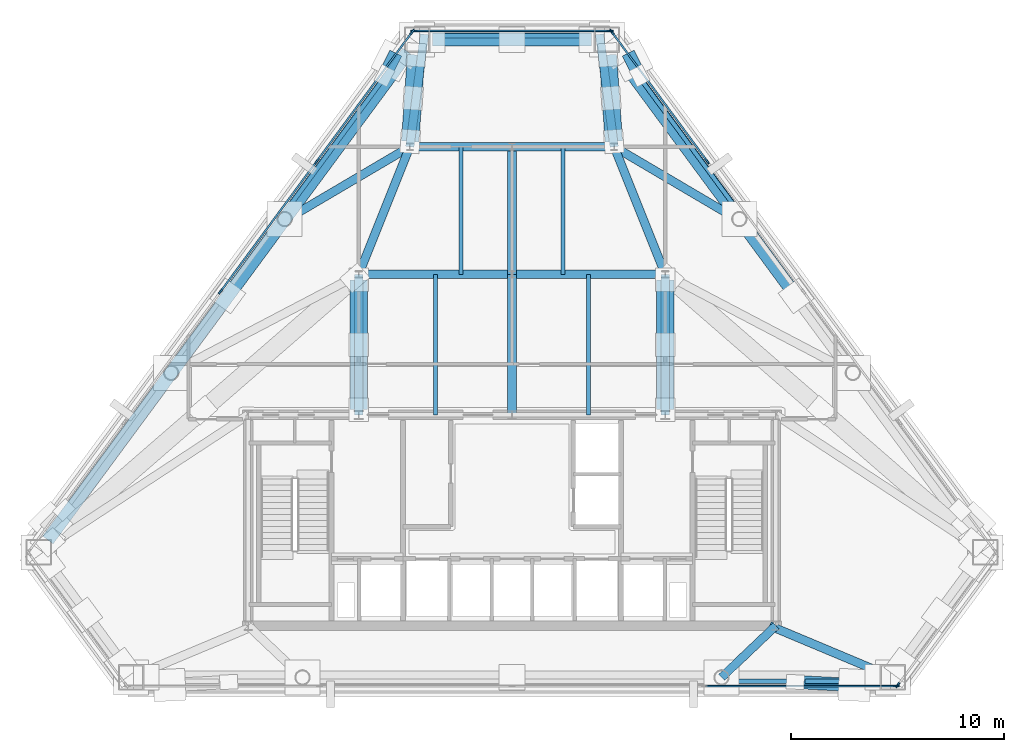
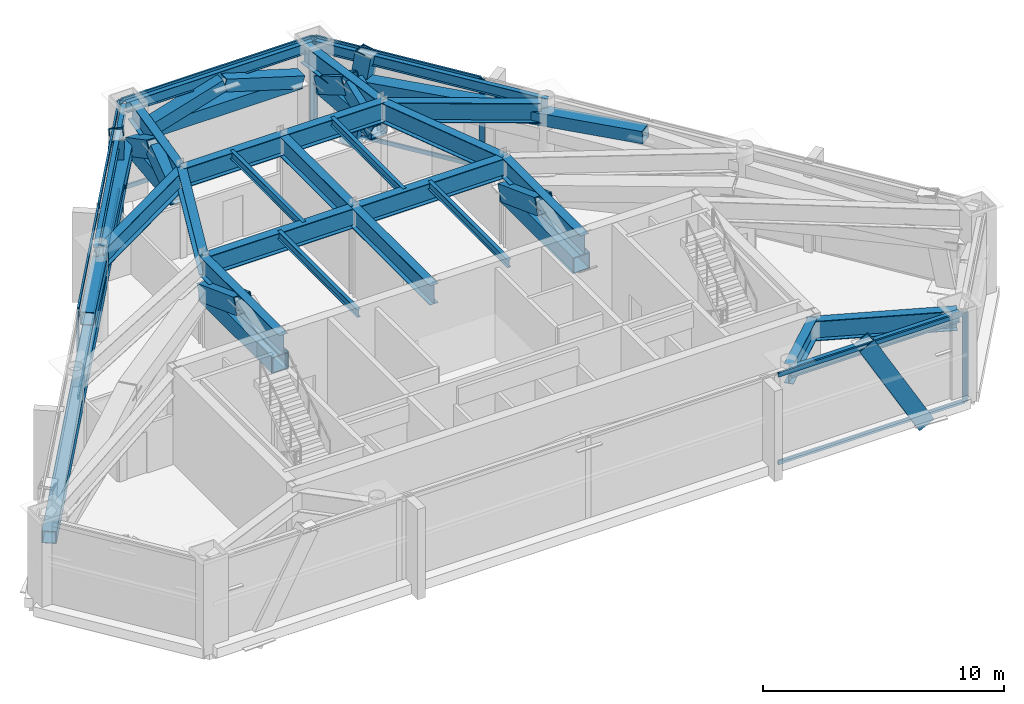
# One storey, part 3 of 10: 38 members, 24 beams, 5 elements without a shape of their own.
"""IFC4 building model written with IfcOpenShell, lengths in metres."""

from ifc_helpers import new_model, si_unit, direction, frame, origin, origin_2d, place, context, subcontext, project, spatial, rectangle, hollow_rectangle, i_section, extrude, material, layer, layer_set, material_profile, profile_set, type_object, element, aggregate, save


model = new_model("IFC4")

# Units and contexts
model_context = context("Model", 3, precision=1e-05, world=origin(), true_north=direction((0.0, 1.0)))
body_context = subcontext(model_context, "Body", "Model", "MODEL_VIEW")
ifc_project = project(units=[si_unit("LENGTHUNIT", "METRE"), si_unit("AREAUNIT", "SQUARE_METRE"), si_unit("VOLUMEUNIT", "CUBIC_METRE"), si_unit("PLANEANGLEUNIT", "RADIAN"), si_unit("MASSUNIT", "GRAM", prefix="KILO")], contexts=[model_context])

# Site, building, storey
site_placement = place(None, origin())
site = spatial("IfcSite", under=ifc_project, at=site_placement, CompositionType="ELEMENT")
building_placement = place(site_placement, origin())
building = spatial("IfcBuilding", under=site, at=building_placement, Name="Talgorran Terracotta Tower", CompositionType="ELEMENT")
storey_placement = place(building_placement, frame((0.0, 0.0, 168.89990234375)))
storey = spatial("IfcBuildingStorey", under=building, at=storey_placement, Name="L44", CompositionType="ELEMENT", Elevation=168.89990234375)

# Beams
ifc_material_1 = material(Name="Steel Grade 350 (350L0)", Category="steel")
ifc_material_profile_1 = material_profile(ifc_material_1, i_section(OverallWidth=0.39990234375, OverallDepth=1.0, WebThickness=0.01611328125, FlangeThickness=0.031005859375, at=origin_2d()), Name="1000WB296")
ifc_profile_set_1 = profile_set([ifc_material_profile_1], Name="Steel Grade 350 (350L0)")
beam_type_1 = type_object("IfcBeamType", Name="BM_1000WB296", PredefinedType="BEAM", material=ifc_profile_set_1)
beam_1_placement = place(storey_placement, frame((12.39990234375, -14.10009765625, 4.02001953125), z_axis=(-0.724741849636, -0.689020501426, 0.0), x_axis=(0.689020501426, -0.724741849636, 0.0)))
element("IfcBeam", 1, at=beam_1_placement, inside=storey, type_object=beam_type_1, Name="L44 South-East Core Tie Beam", PredefinedType="BEAM", context=body_context, shape_type="SweptSolid", body=[
    extrude(i_section(OverallWidth=0.39990234375, OverallDepth=1.0, WebThickness=0.01611328125, FlangeThickness=0.031005859375, at=origin_2d()), origin(), (0.0, 0.0, 1.0), 3.526611328125),
])
beam_2_placement = place(storey_placement, frame((17.898193359375, -16.530029296875, 4.02001953125), z_axis=(-0.922281031819, 0.386519984408, 0.0), x_axis=(-0.386519984408, -0.922281031819, 0.0)))
element("IfcBeam", 2, at=beam_2_placement, inside=storey, type_object=beam_type_1, Name="L44 Perimeter Step Girder 5", PredefinedType="BEAM", context=body_context, shape_type="SweptSolid", body=[
    extrude(i_section(OverallWidth=0.39990234375, OverallDepth=1.0, WebThickness=0.01611328125, FlangeThickness=0.031005859375, at=origin_2d()), origin(), (0.0, 0.0, 1.0), 6.28662109375),
])
for number, where, z_axis, x_axis, name in (
    (3, (4.114013671875, 13.68359375, 4.02001953125), (0.128759320013, -0.991675873211, 0.0), (0.991675873211, 0.128759320013, 0.0), "L44 Perimeter Step Girder 9B"),
    (4, (-4.114013671875, 13.68359375, 4.02001953125), (-0.128759320013, -0.991675873211, 0.0), (0.991675873211, -0.128759320013, 0.0), "L44 Perimeter Step Girder 10B"),
):
    element("IfcBeam", number, at=place(storey_placement, frame(where, z_axis=z_axis, x_axis=x_axis)), inside=storey, type_object=beam_type_1, Name=name, PredefinedType="BEAM", context=body_context, shape_type="SweptSolid", body=[
        extrude(i_section(OverallWidth=0.39990234375, OverallDepth=1.0, WebThickness=0.01611328125, FlangeThickness=0.031005859375, at=origin_2d()), origin(), (0.0, 0.0, 1.0), 5.328125),
    ])
for number, where, z_axis, x_axis, name in (
    (5, (-7.199951171875, -4.199951171875, 4.02001953125), (0.0, 1.0, 0.0), (-1.0, 0.0, 0.0), "L44 Floor Girder G01"),
    (6, (0.0, -4.199951171875, 4.02001953125), (0.0, 1.0, 0.0), (-1.0, 0.0, 0.0), "L44 Floor Girder G02"),
    (7, (7.199951171875, -4.199951171875, 4.02001953125), (0.0, 1.0, 0.0), (-1.0, 0.0, 0.0), "L44 Floor Girder G03"),
):
    element("IfcBeam", number, at=place(storey_placement, frame(where, z_axis=z_axis, x_axis=x_axis)), inside=storey, type_object=beam_type_1, Name=name, PredefinedType="BEAM", context=body_context, shape_type="SweptSolid", body=[
        extrude(i_section(OverallWidth=0.39990234375, OverallDepth=1.0, WebThickness=0.01611328125, FlangeThickness=0.031005859375, at=origin_2d()), origin(), (0.0, 0.0, 1.0), 6.599853515625),
    ])
for number, where, z_axis, x_axis, name in (
    (8, (-7.199951171875, 2.39990234375, 4.02001953125), (1.0, 0.0, 0.0), (0.0, 1.0, 0.0), "L44 Floor Girder G04"),
    (9, (0.0, 2.39990234375, 4.02001953125), (1.0, 0.0, 0.0), (0.0, 1.0, 0.0), "L44 Floor Girder G05"),
):
    element("IfcBeam", number, at=place(storey_placement, frame(where, z_axis=z_axis, x_axis=x_axis)), inside=storey, type_object=beam_type_1, Name=name, PredefinedType="BEAM", context=body_context, shape_type="SweptSolid", body=[
        extrude(i_section(OverallWidth=0.39990234375, OverallDepth=1.0, WebThickness=0.01611328125, FlangeThickness=0.031005859375, at=origin_2d()), origin(), (0.0, 0.0, 1.0), 7.199951171875),
    ])
beam_3_placement = place(storey_placement, frame((-7.199951171875, 2.39990234375, 4.02001953125), z_axis=(0.371377648723, 0.928481901832, 0.0), x_axis=(-0.928481901832, 0.371377648723, 0.0)))
element("IfcBeam", 10, at=beam_3_placement, inside=storey, type_object=beam_type_1, Name="L44 Floor Girder G08", PredefinedType="BEAM", context=body_context, shape_type="SweptSolid", body=[
    extrude(i_section(OverallWidth=0.39990234375, OverallDepth=1.0, WebThickness=0.01611328125, FlangeThickness=0.031005859375, at=origin_2d()), origin(), (0.0, 0.0, 1.0), 6.462158203125),
])
beam_4_placement = place(storey_placement, frame((0.0, 2.39990234375, 4.02001953125), z_axis=(0.0, 1.0, 0.0), x_axis=(-1.0, 0.0, 0.0)))
element("IfcBeam", 11, at=beam_4_placement, inside=storey, type_object=beam_type_1, Name="L44 Floor Girder G09", PredefinedType="BEAM", context=body_context, shape_type="SweptSolid", body=[
    extrude(i_section(OverallWidth=0.39990234375, OverallDepth=1.0, WebThickness=0.01611328125, FlangeThickness=0.031005859375, at=origin_2d()), origin(), (0.0, 0.0, 1.0), 6.0),
])
beam_5_placement = place(storey_placement, frame((7.199951171875, 2.39990234375, 4.02001953125), z_axis=(-0.371377648723, 0.928481901832, 0.0), x_axis=(-0.928481901832, -0.371377648723, 0.0)))
element("IfcBeam", 12, at=beam_5_placement, inside=storey, type_object=beam_type_1, Name="L44 Floor Girder G10", PredefinedType="BEAM", context=body_context, shape_type="SweptSolid", body=[
    extrude(i_section(OverallWidth=0.39990234375, OverallDepth=1.0, WebThickness=0.01611328125, FlangeThickness=0.031005859375, at=origin_2d()), origin(), (0.0, 0.0, 1.0), 6.462158203125),
])
for number, where, z_axis, x_axis, name in (
    (13, (-4.800048828125, 8.39990234375, 4.02001953125), (1.0, 0.0, 0.0), (0.0, 1.0, 0.0), "L44 Floor Girder G11"),
    (14, (0.0, 8.39990234375, 4.02001953125), (1.0, 0.0, 0.0), (0.0, 1.0, 0.0), "L44 Floor Girder G12"),
):
    element("IfcBeam", number, at=place(storey_placement, frame(where, z_axis=z_axis, x_axis=x_axis)), inside=storey, type_object=beam_type_1, Name=name, PredefinedType="BEAM", context=body_context, shape_type="SweptSolid", body=[
        extrude(i_section(OverallWidth=0.39990234375, OverallDepth=1.0, WebThickness=0.01611328125, FlangeThickness=0.031005859375, at=origin_2d()), origin(), (0.0, 0.0, 1.0), 4.800048828125),
    ])
for number, where, z_axis, x_axis, name in (
    (15, (-4.800048828125, 8.39990234375, 4.02001953125), (-0.861549168895, -0.507674137195, 0.0), (0.507674137195, -0.861549168895, 0.0), "L44 Floor Girder G13"),
    (16, (4.800048828125, 8.39990234375, 4.02001953125), (0.861549168895, -0.507674137195, 0.0), (0.507674137195, 0.861549168895, 0.0), "L44 Floor Girder G14"),
):
    element("IfcBeam", number, at=place(storey_placement, frame(where, z_axis=z_axis, x_axis=x_axis)), inside=storey, type_object=beam_type_1, Name=name, PredefinedType="BEAM", context=body_context, shape_type="SweptSolid", body=[
        extrude(i_section(OverallWidth=0.39990234375, OverallDepth=1.0, WebThickness=0.01611328125, FlangeThickness=0.031005859375, at=origin_2d()), origin(), (0.0, 0.0, 1.0), 6.58935546875),
    ])
ifc_material_2 = material(Name="Steel S355 (300PLUS)", Category="steel")
ifc_material_profile_2 = material_profile(ifc_material_2, i_section(OverallWidth=0.177734375, OverallDepth=0.406494140625, WebThickness=0.0078125, FlangeThickness=0.0126953125, at=origin_2d()), Name="410UB59.7")
ifc_profile_set_2 = profile_set([ifc_material_profile_2], Name="Steel S355 (300PLUS)")
beam_type_2 = type_object("IfcBeamType", Name="BM_JS_410UB60", PredefinedType="JOIST", material=ifc_profile_set_2)
for number, where, z_axis, x_axis, name in (
    (17, (-3.60009765625, -4.199951171875, 4.31689453125), (0.0, 1.0, 0.0), (-1.0, 0.0, 0.0), "L44 Secondary Joist J01"),
    (18, (3.60009765625, -4.199951171875, 4.31689453125), (0.0, 1.0, 0.0), (-1.0, 0.0, 0.0), "L44 Secondary Joist J02"),
):
    element("IfcBeam", number, at=place(storey_placement, frame(where, z_axis=z_axis, x_axis=x_axis)), inside=storey, type_object=beam_type_2, Name=name, PredefinedType="JOIST", context=body_context, shape_type="SweptSolid", body=[
        extrude(i_section(OverallWidth=0.177734375, OverallDepth=0.406494140625, WebThickness=0.0078125, FlangeThickness=0.0126953125, at=origin_2d()), origin(), (0.0, 0.0, 1.0), 6.599853515625),
    ])
for number, where, z_axis, x_axis, name in (
    (19, (-2.39990234375, 2.39990234375, 4.31689453125), (0.0, 1.0, 0.0), (-1.0, 0.0, 0.0), "L44 Secondary Joist J03"),
    (20, (2.39990234375, 2.39990234375, 4.31689453125), (0.0, 1.0, 0.0), (-1.0, 0.0, 0.0), "L44 Secondary Joist J04"),
):
    element("IfcBeam", number, at=place(storey_placement, frame(where, z_axis=z_axis, x_axis=x_axis)), inside=storey, type_object=beam_type_2, Name=name, PredefinedType="JOIST", context=body_context, shape_type="SweptSolid", body=[
        extrude(i_section(OverallWidth=0.177734375, OverallDepth=0.406494140625, WebThickness=0.0078125, FlangeThickness=0.0126953125, at=origin_2d()), origin(), (0.0, 0.0, 1.0), 6.0),
    ])
ifc_material_profile_3 = material_profile(ifc_material_2, i_section(OverallWidth=0.209228515625, OverallDepth=0.532958984375, WebThickness=0.01025390625, FlangeThickness=0.015625, at=origin_2d()), Name="530UB92.4")
ifc_profile_set_3 = profile_set([ifc_material_profile_3], Name="Steel S355 (300PLUS)")
beam_type_3 = type_object("IfcBeamType", Name="BM_SP_530UB92", PredefinedType="SPANDREL", material=ifc_profile_set_3)
beam_6_placement = place(storey_placement, frame((9.843994140625, -16.7099609375, 4.253662109375), z_axis=(1.0, 0.0, 0.0), x_axis=(0.0, 1.0, 0.0)))
element("IfcBeam", 21, at=beam_6_placement, inside=storey, type_object=beam_type_3, Name="L44 Perimeter Spandrel Beam FC2-MC3", PredefinedType="SPANDREL", context=body_context, shape_type="SweptSolid", body=[
    extrude(i_section(OverallWidth=0.209228515625, OverallDepth=0.532958984375, WebThickness=0.01025390625, FlangeThickness=0.015625, at=origin_2d()), origin(), (0.0, 0.0, 1.0), 8.05419921875),
])
beam_7_placement = place(storey_placement, frame((10.823974609375, 5.1103515625, 4.253662109375), z_axis=(-0.593801302641, 0.804611715663, 0.0), x_axis=(-0.804611715663, -0.593801302641, 0.0)))
element("IfcBeam", 22, at=beam_7_placement, inside=storey, type_object=beam_type_3, Name="L44 Perimeter Spandrel Beam FC4-MC5", PredefinedType="SPANDREL", context=body_context, shape_type="SweptSolid", body=[
    extrude(i_section(OverallWidth=0.209228515625, OverallDepth=0.532958984375, WebThickness=0.01025390625, FlangeThickness=0.015625, at=origin_2d()), origin(), (0.0, 0.0, 1.0), 10.478515625),
])
beam_8_placement = place(storey_placement, frame((4.45703125, 13.614501953125, 4.253662109375), z_axis=(-1.0, 0.0, 0.0), x_axis=(0.0, -1.0, 0.0)))
element("IfcBeam", 23, at=beam_8_placement, inside=storey, type_object=beam_type_3, Name="L44 Perimeter Spandrel Beam MC5-MC6", PredefinedType="SPANDREL", context=body_context, shape_type="SweptSolid", body=[
    extrude(i_section(OverallWidth=0.209228515625, OverallDepth=0.532958984375, WebThickness=0.01025390625, FlangeThickness=0.015625, at=origin_2d()), origin(), (0.0, 0.0, 1.0), 8.9140625),
])
beam_9_placement = place(storey_placement, frame((-4.601806640625, 13.54150390625, 4.253662109375), z_axis=(-0.593801302641, -0.804611715663, 0.0), x_axis=(0.804611715663, -0.593801302641, 0.0)))
element("IfcBeam", 24, at=beam_9_placement, inside=storey, type_object=beam_type_3, Name="L44 Perimeter Spandrel Beam MC6-FC5", PredefinedType="SPANDREL", context=body_context, shape_type="SweptSolid", body=[
    extrude(i_section(OverallWidth=0.209228515625, OverallDepth=0.532958984375, WebThickness=0.01025390625, FlangeThickness=0.015625, at=origin_2d()), origin(), (0.0, 0.0, 1.0), 10.478515625),
])

# Members
ifc_material_profile_4 = material_profile(ifc_material_1, hollow_rectangle(XDim=0.6201171875, YDim=0.6201171875, WallThickness=0.034912109375, at=origin_2d()), Name="WBOX620X620X35")
ifc_profile_set_4 = profile_set([ifc_material_profile_4], Name="Steel Grade 350 (350L0)")
member_type_1 = type_object("IfcMemberType", Name="MB_BELT_CHORD", PredefinedType="CHORD", material=ifc_profile_set_4)
member_1_placement = place(storey_placement, frame((3.737060546875, 13.4345703125, 2.920166015625), z_axis=(-1.0, 0.0, 0.0), x_axis=(0.0, -1.0, 0.0)))
element("IfcMember", 25, at=member_1_placement, inside=storey, type_object=member_type_1, Name="L44 Belt Truss Chord BT5", PredefinedType="CHORD", context=body_context, shape_type="SweptSolid", body=[
    extrude(hollow_rectangle(XDim=0.6201171875, YDim=0.6201171875, WallThickness=0.034912109375, at=origin_2d()), origin(), (0.0, 0.0, 1.0), 7.47412109375),
])
member_2_placement = place(storey_placement, frame((-4.884521484375, 12.855224609375, 2.920166015625), z_axis=(-0.593790632993, -0.804619589725, 0.0), x_axis=(0.804619589725, -0.593790632993, 0.0)))
element("IfcMember", 26, at=member_2_placement, inside=storey, type_object=member_type_1, Name="L44 Belt Truss Chord BT6", PredefinedType="CHORD", context=body_context, shape_type="SweptSolid", body=[
    extrude(hollow_rectangle(XDim=0.6201171875, YDim=0.6201171875, WallThickness=0.034912109375, at=origin_2d()), origin(), (0.0, 0.0, 1.0), 28.49853515625),
])
ifc_material_profile_5 = material_profile(ifc_material_1, hollow_rectangle(XDim=0.6201171875, YDim=0.6201171875, WallThickness=0.034912109375, at=origin_2d()), Name="WBOX620X620X35")
ifc_profile_set_5 = profile_set([ifc_material_profile_5], Name="Steel Grade 350 (350L0)")
member_type_2 = type_object("IfcMemberType", Name="MB_BELT_DIAG", PredefinedType="BRACE", material=ifc_profile_set_5)
member_3_placement = place(storey_placement, frame((13.345703125, 1.389892578125, 4.06005859375), z_axis=(-0.591901220329, 0.802056297692, -0.079741085429), x_axis=(-0.804618517274, -0.593792086222, 0.0)))
element("IfcMember", 27, at=member_3_placement, inside=storey, type_object=member_type_2, Name="L44 Belt Truss Diagonal BT4-2", PredefinedType="BRACE", context=body_context, shape_type="SweptSolid", body=[
    extrude(hollow_rectangle(XDim=0.6201171875, YDim=0.6201171875, WallThickness=0.034912109375, at=origin_2d()), origin(), (0.0, 0.0, 1.0), 14.294921875),
])
for number, where, z_axis, x_axis, name in (
    (28, (3.737060546875, 13.4345703125, 2.920166015625), (-0.956493586845, 0.0, 0.291753351864), (0.0, -1.0, 0.0), "L44 Belt Truss Diagonal BT5-1"),
    (29, (0.0, 13.4345703125, 4.06005859375), (-0.956493586845, 0.0, -0.291753351864), (0.0, -1.0, 0.0), "L44 Belt Truss Diagonal BT5-2"),
):
    element("IfcMember", number, at=place(storey_placement, frame(where, z_axis=z_axis, x_axis=x_axis)), inside=storey, type_object=member_type_2, Name=name, PredefinedType="BRACE", context=body_context, shape_type="SweptSolid", body=[
        extrude(hollow_rectangle(XDim=0.6201171875, YDim=0.6201171875, WallThickness=0.034912109375, at=origin_2d()), origin(), (0.0, 0.0, 1.0), 3.906982421875),
    ])
member_4_placement = place(storey_placement, frame((-4.884521484375, 12.855224609375, 2.920166015625), z_axis=(-0.591901220329, -0.802056297692, 0.079741085429), x_axis=(0.804618517274, -0.593792086222, 0.0)))
element("IfcMember", 30, at=member_4_placement, inside=storey, type_object=member_type_2, Name="L44 Belt Truss Diagonal BT6-1", PredefinedType="BRACE", context=body_context, shape_type="SweptSolid", body=[
    extrude(hollow_rectangle(XDim=0.6201171875, YDim=0.6201171875, WallThickness=0.034912109375, at=origin_2d()), origin(), (0.0, 0.0, 1.0), 14.294921875),
])
ifc_material_profile_6 = material_profile(ifc_material_1, hollow_rectangle(XDim=0.6201171875, YDim=0.780029296875, WallThickness=0.0419921875, at=origin_2d()), Name="WBOX780X620X42")
ifc_profile_set_6 = profile_set([ifc_material_profile_6], Name="Steel Grade 350 (350L0)")
member_type_3 = type_object("IfcMemberType", Name="MB_MEGA_780", PredefinedType="BRACE", material=ifc_profile_set_6)
member_5_placement = place(storey_placement, frame((16.09130859375, -16.889892578125, -0.33984375), z_axis=(-0.494970283775, 0.025653550619, 0.868531124094), x_axis=(-0.051758995569, -0.998659604859, 0.0)))
element("IfcMember", 31, at=member_5_placement, inside=storey, type_object=member_type_3, Name="L44 Exterior Face Mega-Brace MB-2 (SEF)", PredefinedType="BRACE", context=body_context, shape_type="SweptSolid", body=[
    extrude(hollow_rectangle(XDim=0.6201171875, YDim=0.780029296875, WallThickness=0.0419921875, at=origin_2d()), origin(), (0.0, 0.0, 1.0), 5.62451171875),
])
for number, where, z_axis, x_axis, name in (
    (32, (5.631103515625, 12.449951171875, -0.33984375), (0.073105172646, -0.14300397807, 0.98701848817), (0.890398722155, 0.455181409532, 0.0), "L44 Exterior Face Mega-Brace MB-2 (NEU)"),
    (33, (-5.631103515625, 12.449951171875, -0.33984375), (-0.073105172646, -0.14300397807, 0.98701848817), (0.890398722155, -0.455181409532, 0.0), "L44 Exterior Face Mega-Brace MB-2 (NWU)"),
):
    element("IfcMember", number, at=place(storey_placement, frame(where, z_axis=z_axis, x_axis=x_axis)), inside=storey, type_object=member_type_3, Name=name, PredefinedType="BRACE", context=body_context, shape_type="SweptSolid", body=[
        extrude(hollow_rectangle(XDim=0.6201171875, YDim=0.780029296875, WallThickness=0.0419921875, at=origin_2d()), origin(), (0.0, 0.0, 1.0), 4.94921875),
    ])
ifc_material_profile_7 = material_profile(ifc_material_1, hollow_rectangle(XDim=0.820068359375, YDim=0.820068359375, WallThickness=0.044921875, at=origin_2d()), Name="WBOX820X820X45")
ifc_profile_set_7 = profile_set([ifc_material_profile_7], Name="Steel Grade 350 (350L0)")
member_type_4 = type_object("IfcMemberType", Name="MB_OUT_CHORD", PredefinedType="CHORD", material=ifc_profile_set_7)
for number, where, z_axis, x_axis, name in (
    (34, (-7.199951171875, -3.949951171875, 2.920166015625), (0.0, 1.0, 0.0), (-1.0, 0.0, 0.0), "L44 Outrigger Bottom Chord OR1"),
    (35, (7.199951171875, -3.949951171875, 2.920166015625), (0.0, 1.0, 0.0), (-1.0, 0.0, 0.0), "L44 Outrigger Bottom Chord OR2"),
):
    element("IfcMember", number, at=place(storey_placement, frame(where, z_axis=z_axis, x_axis=x_axis)), inside=storey, type_object=member_type_4, Name=name, PredefinedType="CHORD", context=body_context, shape_type="SweptSolid", body=[
        extrude(hollow_rectangle(XDim=0.820068359375, YDim=0.820068359375, WallThickness=0.044921875, at=origin_2d()), origin(), (0.0, 0.0, 1.0), 6.099853515625),
    ])
for number, where, z_axis, x_axis, name in (
    (36, (-4.782958984375, 8.6494140625, 2.920166015625), (0.067918205804, 0.997690892672, 0.0), (-0.997690892672, 0.067918205804, 0.0), "L44 Outrigger Bottom Chord OR5"),
    (37, (4.782958984375, 8.6494140625, 2.920166015625), (-0.067918205804, 0.997690892672, 0.0), (-0.997690892672, -0.067918205804, 0.0), "L44 Outrigger Bottom Chord OR6"),
):
    element("IfcMember", number, at=place(storey_placement, frame(where, z_axis=z_axis, x_axis=x_axis)), inside=storey, type_object=member_type_4, Name=name, PredefinedType="CHORD", context=body_context, shape_type="SweptSolid", body=[
        extrude(hollow_rectangle(XDim=0.820068359375, YDim=0.820068359375, WallThickness=0.044921875, at=origin_2d()), origin(), (0.0, 0.0, 1.0), 4.076416015625),
    ])
ifc_material_profile_8 = material_profile(ifc_material_1, hollow_rectangle(XDim=0.820068359375, YDim=0.820068359375, WallThickness=0.044921875, at=origin_2d()), Name="WBOX820X820X45")
ifc_profile_set_8 = profile_set([ifc_material_profile_8], Name="Steel Grade 350 (350L0)")
member_type_5 = type_object("IfcMemberType", Name="MB_OUT_DIAG", PredefinedType="BRACE", material=ifc_profile_set_8)
for number, where, z_axis, x_axis, name in (
    (38, (-7.199951171875, -0.89990234375, 4.06005859375), (0.0, 0.936710737689, -0.350104261469), (-1.0, 0.0, 0.0), "L44 Outrigger Web Diagonal OR1-2"),
    (39, (7.199951171875, -0.89990234375, 4.06005859375), (0.0, 0.936710737689, -0.350104261469), (-1.0, 0.0, 0.0), "L44 Outrigger Web Diagonal OR2-2"),
):
    element("IfcMember", number, at=place(storey_placement, frame(where, z_axis=z_axis, x_axis=x_axis)), inside=storey, type_object=member_type_5, Name=name, PredefinedType="BRACE", context=body_context, shape_type="SweptSolid", body=[
        extrude(hollow_rectangle(XDim=0.820068359375, YDim=0.820068359375, WallThickness=0.044921875, at=origin_2d()), origin(), (0.0, 0.0, 1.0), 3.255859375),
    ])
for number, where, z_axis, x_axis, name in (
    (40, (-4.782958984375, 8.6494140625, 2.920166015625), (0.059277302771, 0.870759532235, 0.488122974667), (-0.997690892672, 0.067918205804, 0.0), "L44 Outrigger Web Diagonal OR5-1"),
    (41, (-4.64453125, 10.682861328125, 4.06005859375), (0.059277302771, 0.870759532235, -0.488122974667), (-0.997690892672, 0.067918205804, 0.0), "L44 Outrigger Web Diagonal OR5-2"),
    (42, (4.782958984375, 8.6494140625, 2.920166015625), (-0.059277302771, 0.870759532235, 0.488122974667), (-0.997690892672, -0.067918205804, 0.0), "L44 Outrigger Web Diagonal OR6-1"),
    (43, (4.64453125, 10.682861328125, 4.06005859375), (-0.059277302771, 0.870759532235, -0.488122974667), (-0.997690892672, -0.067918205804, 0.0), "L44 Outrigger Web Diagonal OR6-2"),
):
    element("IfcMember", number, at=place(storey_placement, frame(where, z_axis=z_axis, x_axis=x_axis)), inside=storey, type_object=member_type_5, Name=name, PredefinedType="BRACE", context=body_context, shape_type="SweptSolid", body=[
        extrude(hollow_rectangle(XDim=0.820068359375, YDim=0.820068359375, WallThickness=0.044921875, at=origin_2d()), origin(), (0.0, 0.0, 1.0), 2.335205078125),
    ])

# Curtain wall, member
ifc_material_3 = material(Name="Anodised Aluminium Louvre", Category="aluminium")
ifc_layer = layer(ifc_material_3, 0.25, Name="CW_SYS4_LOUVRE")
ifc_layer_set = layer_set([ifc_layer], Name="Anodised Aluminium Louvre")
curtain_wall_type = type_object("IfcCurtainWallType", Name="CW_SYS4_LOUVRE", PredefinedType="NOTDEFINED", material=ifc_layer_set)
curtain_wall_1_placement = place(storey_placement, origin())
curtain_wall_1 = element("IfcCurtainWall", 44, at=curtain_wall_1_placement, inside=storey, type_object=curtain_wall_type, Name="CW-L44-F1", PredefinedType="NOTDEFINED")
ifc_material_4 = material(Name="Architectural Aluminium 6063-T6", Category="aluminium")
ifc_material_profile_9 = material_profile(ifc_material_4, rectangle(XDim=0.0849609375, YDim=0.260009765625, at=origin_2d()), Name="CWM85X260")
ifc_profile_set_9 = profile_set([ifc_material_profile_9], Name="Architectural Aluminium 6063-T6")
member_type_6 = type_object("IfcMemberType", Name="MUL_85X260", PredefinedType="MULLION", material=ifc_profile_set_9)
member_6_placement = place(storey_placement, frame((18.0576171875, -16.929931640625, 0.0), z_axis=(0.0, 0.0, 1.0), x_axis=(0.0, 1.0, 0.0)))
member_6 = element("IfcMember", 45, at=member_6_placement, type_object=member_type_6, Name="CW-L44-1 mullion 5", PredefinedType="MULLION", context=body_context, shape_type="SweptSolid", body=[
    extrude(rectangle(XDim=0.0849609375, YDim=0.260009765625, at=origin_2d()), origin(), (0.0, 0.0, 1.0), 4.52001953125),
])

curtain_wall_2_placement = place(storey_placement, origin())
curtain_wall_2 = element("IfcCurtainWall", 46, at=curtain_wall_2_placement, inside=storey, type_object=curtain_wall_type, Name="CW-L44-F2", PredefinedType="NOTDEFINED")
member_7_placement = place(storey_placement, frame((18.12548828125, -16.895751953125, 0.0), z_axis=(0.0, 0.0, 1.0), x_axis=(-0.804619586401, 0.593790637498, 0.0)))
member_7 = element("IfcMember", 47, at=member_7_placement, type_object=member_type_6, Name="CW-L44-2 mullion 1", PredefinedType="MULLION", context=body_context, shape_type="SweptSolid", body=[
    extrude(rectangle(XDim=0.0849609375, YDim=0.260009765625, at=origin_2d()), origin(), (0.0, 0.0, 1.0), 4.52001953125),
])
aggregate(curtain_wall_2, [member_7])

# Curtain wall, members
curtain_wall_3_placement = place(storey_placement, origin())
curtain_wall_3 = element("IfcCurtainWall", 48, at=curtain_wall_3_placement, inside=storey, type_object=curtain_wall_type, Name="CW-L44-F3", PredefinedType="NOTDEFINED")
member_8_placement = place(storey_placement, frame((9.177001953125, 7.71240234375, 0.0), z_axis=(0.0, 0.0, 1.0), x_axis=(-0.804622144669, -0.593787170886, 0.0)))
member_8 = element("IfcMember", 49, at=member_8_placement, type_object=member_type_6, Name="CW-L44-3 mullion 4", PredefinedType="MULLION", context=body_context, shape_type="SweptSolid", body=[
    extrude(rectangle(XDim=0.0849609375, YDim=0.260009765625, at=origin_2d()), origin(), (0.0, 0.0, 1.0), 4.52001953125),
])
member_9_placement = place(storey_placement, frame((4.684326171875, 13.80029296875, 0.0), z_axis=(0.0, 0.0, 1.0), x_axis=(-0.804622144669, -0.593787170886, 0.0)))
member_9 = element("IfcMember", 50, at=member_9_placement, type_object=member_type_6, Name="CW-L44-3 mullion 5", PredefinedType="MULLION", context=body_context, shape_type="SweptSolid", body=[
    extrude(rectangle(XDim=0.0849609375, YDim=0.260009765625, at=origin_2d()), origin(), (0.0, 0.0, 1.0), 4.52001953125),
])

curtain_wall_4_placement = place(storey_placement, origin())
curtain_wall_4 = element("IfcCurtainWall", 51, at=curtain_wall_4_placement, inside=storey, type_object=curtain_wall_type, Name="CW-L44-F4", PredefinedType="NOTDEFINED")
member_10_placement = place(storey_placement, frame((4.616455078125, 13.834716796875, 0.0), z_axis=(0.0, 0.0, 1.0), x_axis=(0.0, -1.0, 0.0)))
member_10 = element("IfcMember", 52, at=member_10_placement, type_object=member_type_6, Name="CW-L44-4 mullion 1", PredefinedType="MULLION", context=body_context, shape_type="SweptSolid", body=[
    extrude(rectangle(XDim=0.0849609375, YDim=0.260009765625, at=origin_2d()), origin(), (0.0, 0.0, 1.0), 4.52001953125),
])
member_11_placement = place(storey_placement, frame((-4.616455078125, 13.834716796875, 0.0), z_axis=(0.0, 0.0, 1.0), x_axis=(0.0, -1.0, 0.0)))
member_11 = element("IfcMember", 53, at=member_11_placement, type_object=member_type_6, Name="CW-L44-4 mullion 2", PredefinedType="MULLION", context=body_context, shape_type="SweptSolid", body=[
    extrude(rectangle(XDim=0.0849609375, YDim=0.260009765625, at=origin_2d()), origin(), (0.0, 0.0, 1.0), 4.52001953125),
])

curtain_wall_5_placement = place(storey_placement, origin())
curtain_wall_5 = element("IfcCurtainWall", 54, at=curtain_wall_5_placement, inside=storey, type_object=curtain_wall_type, Name="CW-L44-F5", PredefinedType="NOTDEFINED")
member_12_placement = place(storey_placement, frame((-4.684326171875, 13.80029296875, 0.0), z_axis=(0.0, 0.0, 1.0), x_axis=(0.804622144669, -0.593787170886, 0.0)))
member_12 = element("IfcMember", 55, at=member_12_placement, type_object=member_type_6, Name="CW-L44-5 mullion 1", PredefinedType="MULLION", context=body_context, shape_type="SweptSolid", body=[
    extrude(rectangle(XDim=0.0849609375, YDim=0.260009765625, at=origin_2d()), origin(), (0.0, 0.0, 1.0), 4.52001953125),
])
member_13_placement = place(storey_placement, frame((-9.177001953125, 7.71240234375, 0.0), z_axis=(0.0, 0.0, 1.0), x_axis=(0.804622144669, -0.593787170886, 0.0)))
member_13 = element("IfcMember", 56, at=member_13_placement, type_object=member_type_6, Name="CW-L44-5 mullion 2", PredefinedType="MULLION", context=body_context, shape_type="SweptSolid", body=[
    extrude(rectangle(XDim=0.0849609375, YDim=0.260009765625, at=origin_2d()), origin(), (0.0, 0.0, 1.0), 4.52001953125),
])
member_14_placement = place(storey_placement, frame((-13.695068359375, 1.590087890625, 0.0), z_axis=(0.0, 0.0, 1.0), x_axis=(0.804622144669, -0.593787170886, 0.0)))
member_14 = element("IfcMember", 57, at=member_14_placement, type_object=member_type_6, Name="CW-L44-5 mullion 3", PredefinedType="MULLION", context=body_context, shape_type="SweptSolid", body=[
    extrude(rectangle(XDim=0.0849609375, YDim=0.260009765625, at=origin_2d()), origin(), (0.0, 0.0, 1.0), 4.52001953125),
])

# Member
ifc_material_profile_10 = material_profile(ifc_material_4, rectangle(XDim=0.0849609375, YDim=0.2099609375, at=origin_2d()), Name="CWT85X210")
ifc_profile_set_10 = profile_set([ifc_material_profile_10], Name="Architectural Aluminium 6063-T6")
member_type_7 = type_object("IfcMemberType", Name="TRN_85X210", PredefinedType="USERDEFINED", material=ifc_profile_set_10)
member_15_placement = place(storey_placement, frame((9.092529296875, -16.929931640625, 0.04248046875), z_axis=(1.0, 0.0, 0.0), x_axis=(0.0, 1.0, 0.0)))
member_15 = element("IfcMember", 58, at=member_15_placement, type_object=member_type_7, Name="CW-L44-1 transom 4.1", ObjectType="TRANSOM", PredefinedType="USERDEFINED", context=body_context, shape_type="SweptSolid", body=[
    extrude(rectangle(XDim=0.0849609375, YDim=0.2099609375, at=origin_2d()), origin(), (0.0, 0.0, 1.0), 8.922607421875),
])

member_16_placement = place(storey_placement, frame((9.092529296875, -16.929931640625, 4.4775390625), z_axis=(1.0, 0.0, 0.0), x_axis=(0.0, 1.0, 0.0)))
member_16 = element("IfcMember", 59, at=member_16_placement, type_object=member_type_7, Name="CW-L44-1 transom 4.2", ObjectType="TRANSOM", PredefinedType="USERDEFINED", context=body_context, shape_type="SweptSolid", body=[
    extrude(rectangle(XDim=0.0849609375, YDim=0.2099609375, at=origin_2d()), origin(), (0.0, 0.0, 1.0), 8.922607421875),
])

aggregate(curtain_wall_1, [member_6, member_15, member_16])

member_17_placement = place(storey_placement, frame((9.15185546875, 7.74658203125, 0.04248046875), z_axis=(-0.593799986105, 0.804612687261, 0.0), x_axis=(-0.804612687261, -0.593799986105, 0.0)))
member_17 = element("IfcMember", 60, at=member_17_placement, type_object=member_type_7, Name="CW-L44-3 transom 4.1", ObjectType="TRANSOM", PredefinedType="USERDEFINED", context=body_context, shape_type="SweptSolid", body=[
    extrude(rectangle(XDim=0.0849609375, YDim=0.2099609375, at=origin_2d()), origin(), (0.0, 0.0, 1.0), 7.481201171875),
])

member_18_placement = place(storey_placement, frame((9.15185546875, 7.74658203125, 4.4775390625), z_axis=(-0.593799986105, 0.804612687261, 0.0), x_axis=(-0.804612687261, -0.593799986105, 0.0)))
member_18 = element("IfcMember", 61, at=member_18_placement, type_object=member_type_7, Name="CW-L44-3 transom 4.2", ObjectType="TRANSOM", PredefinedType="USERDEFINED", context=body_context, shape_type="SweptSolid", body=[
    extrude(rectangle(XDim=0.0849609375, YDim=0.2099609375, at=origin_2d()), origin(), (0.0, 0.0, 1.0), 7.481201171875),
])

aggregate(curtain_wall_3, [member_8, member_9, member_17, member_18])

member_19_placement = place(storey_placement, frame((4.573974609375, 13.834716796875, 0.04248046875), z_axis=(-1.0, 0.0, 0.0), x_axis=(0.0, -1.0, 0.0)))
member_19 = element("IfcMember", 62, at=member_19_placement, type_object=member_type_7, Name="CW-L44-4 transom 1.1", ObjectType="TRANSOM", PredefinedType="USERDEFINED", context=body_context, shape_type="SweptSolid", body=[
    extrude(rectangle(XDim=0.0849609375, YDim=0.2099609375, at=origin_2d()), origin(), (0.0, 0.0, 1.0), 9.14794921875),
])

member_20_placement = place(storey_placement, frame((4.573974609375, 13.834716796875, 4.4775390625), z_axis=(-1.0, 0.0, 0.0), x_axis=(0.0, -1.0, 0.0)))
member_20 = element("IfcMember", 63, at=member_20_placement, type_object=member_type_7, Name="CW-L44-4 transom 1.2", ObjectType="TRANSOM", PredefinedType="USERDEFINED", context=body_context, shape_type="SweptSolid", body=[
    extrude(rectangle(XDim=0.0849609375, YDim=0.2099609375, at=origin_2d()), origin(), (0.0, 0.0, 1.0), 9.14794921875),
])

aggregate(curtain_wall_4, [member_10, member_11, member_19, member_20])

member_21_placement = place(storey_placement, frame((-4.70947265625, 13.76611328125, 0.04248046875), z_axis=(-0.593799986105, -0.804612687261, 0.0), x_axis=(0.804612687261, -0.593799986105, 0.0)))
member_21 = element("IfcMember", 64, at=member_21_placement, type_object=member_type_7, Name="CW-L44-5 transom 1.1", ObjectType="TRANSOM", PredefinedType="USERDEFINED", context=body_context, shape_type="SweptSolid", body=[
    extrude(rectangle(XDim=0.0849609375, YDim=0.2099609375, at=origin_2d()), origin(), (0.0, 0.0, 1.0), 7.481201171875),
])

member_22_placement = place(storey_placement, frame((-4.70947265625, 13.76611328125, 4.4775390625), z_axis=(-0.593799986105, -0.804612687261, 0.0), x_axis=(0.804612687261, -0.593799986105, 0.0)))
member_22 = element("IfcMember", 65, at=member_22_placement, type_object=member_type_7, Name="CW-L44-5 transom 1.2", ObjectType="TRANSOM", PredefinedType="USERDEFINED", context=body_context, shape_type="SweptSolid", body=[
    extrude(rectangle(XDim=0.0849609375, YDim=0.2099609375, at=origin_2d()), origin(), (0.0, 0.0, 1.0), 7.481201171875),
])

member_23_placement = place(storey_placement, frame((-9.202392578125, 7.67822265625, 0.04248046875), z_axis=(-0.593777775528, -0.804629078079, 0.0), x_axis=(0.804629078079, -0.593777775528, 0.0)))
member_23 = element("IfcMember", 66, at=member_23_placement, type_object=member_type_7, Name="CW-L44-5 transom 2.1", ObjectType="TRANSOM", PredefinedType="USERDEFINED", context=body_context, shape_type="SweptSolid", body=[
    extrude(rectangle(XDim=0.0849609375, YDim=0.2099609375, at=origin_2d()), origin(), (0.0, 0.0, 1.0), 7.52392578125),
])

member_24_placement = place(storey_placement, frame((-9.202392578125, 7.67822265625, 4.4775390625), z_axis=(-0.593777775528, -0.804629078079, 0.0), x_axis=(0.804629078079, -0.593777775528, 0.0)))
member_24 = element("IfcMember", 67, at=member_24_placement, type_object=member_type_7, Name="CW-L44-5 transom 2.2", ObjectType="TRANSOM", PredefinedType="USERDEFINED", context=body_context, shape_type="SweptSolid", body=[
    extrude(rectangle(XDim=0.0849609375, YDim=0.2099609375, at=origin_2d()), origin(), (0.0, 0.0, 1.0), 7.52392578125),
])

aggregate(curtain_wall_5, [member_12, member_13, member_14, member_21, member_22, member_23, member_24])

save(model, "model.ifc")
